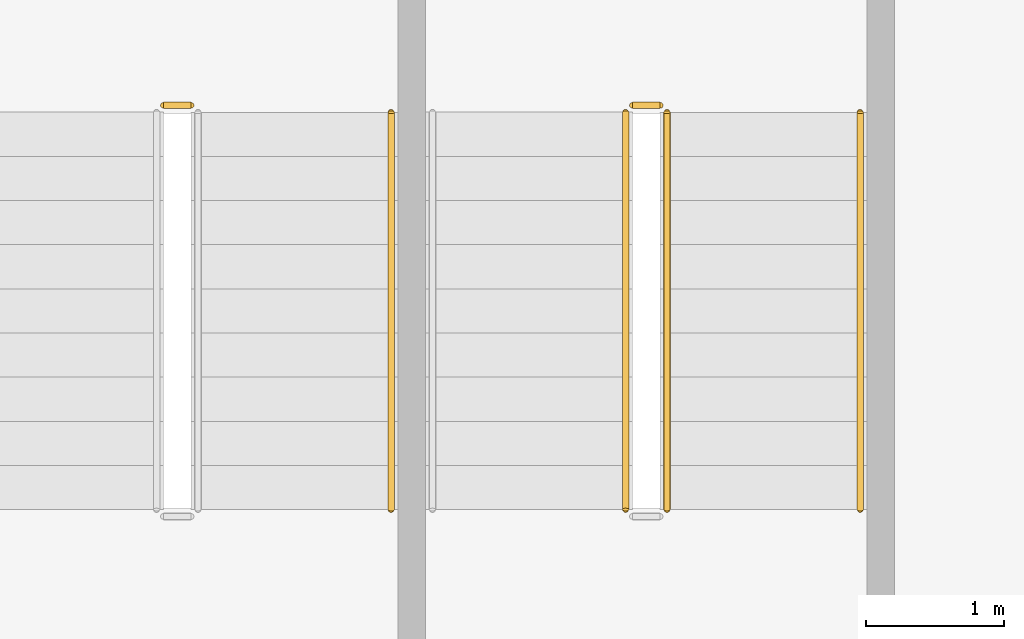
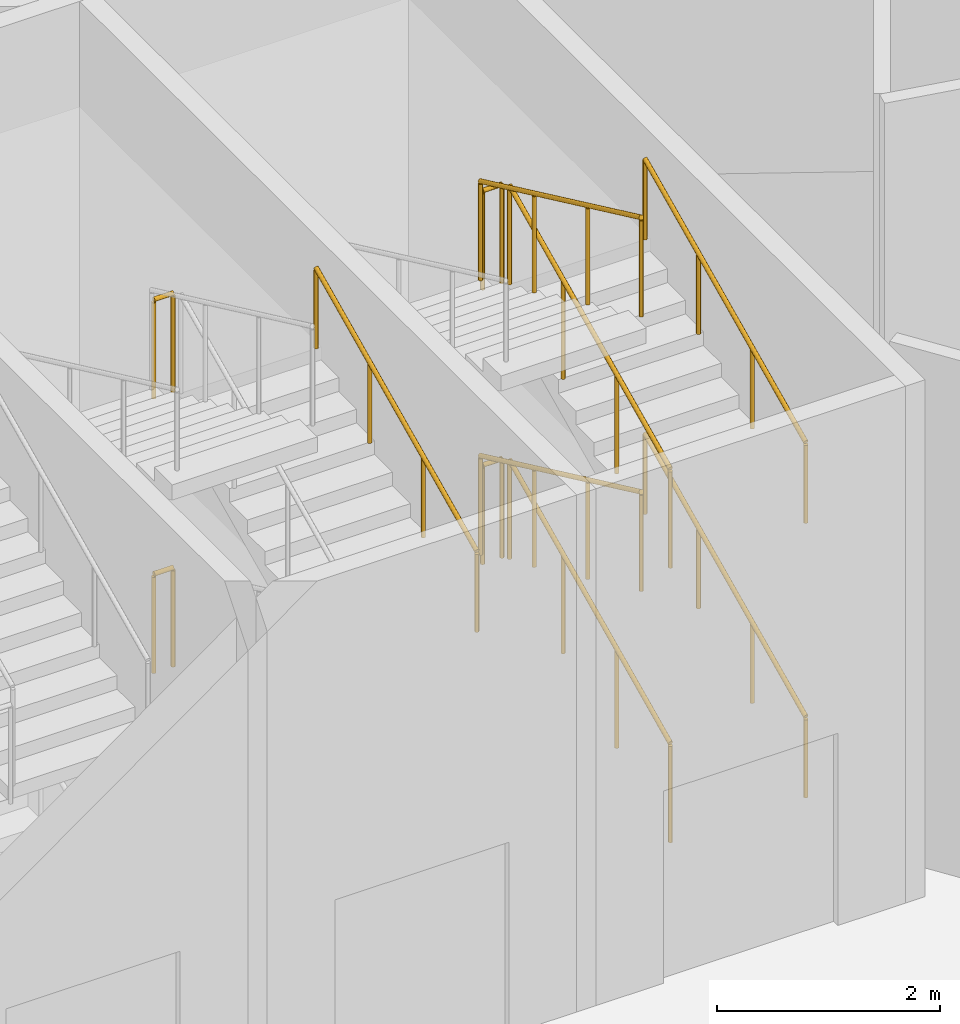
# One storey, part 246 of 249: 11 railings.
"""IFC4 building model written with IfcOpenShell, lengths in metres."""

from ifc_helpers import new_model, si_unit, direction, frame, origin, origin_2d, place, context, subcontext, project, spatial, circle, extrude, material, type_object, element, save


model = new_model("IFC4")

# Units and contexts
model_context = context("Model", 3, precision=1e-05, world=origin(), true_north=direction((0.0, 1.0)))
body_context = subcontext(model_context, "Body", "Model", "MODEL_VIEW")
ifc_project = project(units=[si_unit("LENGTHUNIT", "METRE"), si_unit("AREAUNIT", "SQUARE_METRE"), si_unit("VOLUMEUNIT", "CUBIC_METRE"), si_unit("PLANEANGLEUNIT", "RADIAN"), si_unit("MASSUNIT", "GRAM", prefix="KILO")], contexts=[model_context])

# Site, building, storey
site_placement = place(None, origin())
site = spatial("IfcSite", under=ifc_project, at=site_placement, CompositionType="ELEMENT")
building_placement = place(site_placement, origin())
building = spatial("IfcBuilding", under=site, at=building_placement, Name="Meseta Stadium", CompositionType="ELEMENT")
storey_placement = place(building_placement, frame((0.0, 0.0, 12.0)))
storey = spatial("IfcBuildingStorey", under=building, at=storey_placement, Name="L02", CompositionType="ELEMENT", Elevation=12.0)

# Railings
ifc_material_1 = material(Name="Steel S355", Category="steel")
railing_type_1 = type_object("IfcRailingType", Name="Stair guard 1100", PredefinedType="GUARDRAIL", material=ifc_material_1)
railing_1_placement = place(storey_placement, frame((43.583251953125, 94.199951171875, 0.14990234375)))
element("IfcRailing", 1, at=railing_1_placement, inside=storey, type_object=railing_type_1, Name="ST33 L02 guard 1", PredefinedType="GUARDRAIL", context=body_context, shape_type="SweptSolid", body=[
    extrude(circle(Radius=0.02392578125, at=origin_2d()), frame((0.0, 0.0, 1.076171875), z_axis=(0.0, 0.905454327043, 0.424443708447), x_axis=(-1.0, 0.0, 0.0)), (0.0, 0.0, 1.0), 3.180908203125),
    extrude(circle(Radius=0.02099609375, at=origin_2d()), origin(), (0.0, 0.0, 1.0), 1.052001953125),
    extrude(circle(Radius=0.02099609375, at=origin_2d()), frame((0.0, 0.9599609375, 0.449951171875)), (0.0, 0.0, 1.0), 1.052001953125),
    extrude(circle(Radius=0.02099609375, at=origin_2d()), frame((0.0, 1.920166015625, 0.900146484375)), (0.0, 0.0, 1.0), 1.052001953125),
    extrude(circle(Radius=0.02099609375, at=origin_2d()), frame((0.0, 2.880126953125, 1.35009765625)), (0.0, 0.0, 1.0), 1.052001953125),
])
railing_2_placement = place(storey_placement, frame((43.533447265625, 97.1298828125, 1.5)))
element("IfcRailing", 2, at=railing_2_placement, inside=storey, type_object=railing_type_1, Name="ST33 L02 guard 2", PredefinedType="GUARDRAIL", context=body_context, shape_type="SweptSolid", body=[
    extrude(circle(Radius=0.02392578125, at=origin_2d()), frame((0.0, 0.0, 1.076171875), z_axis=(-1.0, 0.0, 0.0), x_axis=(0.0, -1.0, 0.0)), (0.0, 0.0, 1.0), 0.2001953125),
    extrude(circle(Radius=0.02099609375, at=origin_2d()), origin(), (0.0, 0.0, 1.0), 1.052001953125),
    extrude(circle(Radius=0.02099609375, at=origin_2d()), frame((-0.2001953125, 0.0, 0.0)), (0.0, 0.0, 1.0), 1.052001953125),
])
railing_3_placement = place(storey_placement, frame((43.283447265625, 97.080078125, 1.64990234375)))
element("IfcRailing", 3, at=railing_3_placement, inside=storey, type_object=railing_type_1, Name="ST33 L02 guard 3", PredefinedType="GUARDRAIL", context=body_context, shape_type="SweptSolid", body=[
    extrude(circle(Radius=0.02392578125, at=origin_2d()), frame((0.0, 0.0, 1.076171875), z_axis=(0.0, -0.905454327043, 0.424443708447), x_axis=(1.0, 0.0, 0.0)), (0.0, 0.0, 1.0), 3.180908203125),
    extrude(circle(Radius=0.02099609375, at=origin_2d()), origin(), (0.0, 0.0, 1.0), 1.052001953125),
    extrude(circle(Radius=0.02099609375, at=origin_2d()), frame((0.0, -0.9599609375, 0.449951171875)), (0.0, 0.0, 1.0), 1.052001953125),
    extrude(circle(Radius=0.02099609375, at=origin_2d()), frame((0.0, -1.920166015625, 0.900146484375)), (0.0, 0.0, 1.0), 1.052001953125),
    extrude(circle(Radius=0.02099609375, at=origin_2d()), frame((0.0, -2.880126953125, 1.35009765625)), (0.0, 0.0, 1.0), 1.052001953125),
])
railing_4_placement = place(storey_placement, frame((43.583251953125, 94.199951171875, 3.14990234375)))
element("IfcRailing", 4, at=railing_4_placement, inside=storey, type_object=railing_type_1, Name="ST33 L02 guard 5", PredefinedType="GUARDRAIL", context=body_context, shape_type="SweptSolid", body=[
    extrude(circle(Radius=0.02392578125, at=origin_2d()), frame((0.0, 0.0, 1.076171875), z_axis=(0.0, 0.905454327043, 0.424443708447), x_axis=(-1.0, 0.0, 0.0)), (0.0, 0.0, 1.0), 3.180908203125),
    extrude(circle(Radius=0.02099609375, at=origin_2d()), origin(), (0.0, 0.0, 1.0), 1.052001953125),
    extrude(circle(Radius=0.02099609375, at=origin_2d()), frame((0.0, 0.9599609375, 0.449951171875)), (0.0, 0.0, 1.0), 1.052001953125),
    extrude(circle(Radius=0.02099609375, at=origin_2d()), frame((0.0, 1.920166015625, 0.900146484375)), (0.0, 0.0, 1.0), 1.052001953125),
    extrude(circle(Radius=0.02099609375, at=origin_2d()), frame((0.0, 2.880126953125, 1.35009765625)), (0.0, 0.0, 1.0), 1.052001953125),
])
railing_5_placement = place(storey_placement, frame((43.533447265625, 97.1298828125, 4.5)))
element("IfcRailing", 5, at=railing_5_placement, inside=storey, type_object=railing_type_1, Name="ST33 L02 guard 6", PredefinedType="GUARDRAIL", context=body_context, shape_type="SweptSolid", body=[
    extrude(circle(Radius=0.02392578125, at=origin_2d()), frame((0.0, 0.0, 1.076171875), z_axis=(-1.0, 0.0, 0.0), x_axis=(0.0, -1.0, 0.0)), (0.0, 0.0, 1.0), 0.2001953125),
    extrude(circle(Radius=0.02099609375, at=origin_2d()), origin(), (0.0, 0.0, 1.0), 1.052001953125),
    extrude(circle(Radius=0.02099609375, at=origin_2d()), frame((-0.2001953125, 0.0, 0.0)), (0.0, 0.0, 1.0), 1.052001953125),
])
railing_6_placement = place(storey_placement, frame((43.283447265625, 97.080078125, 4.64990234375)))
element("IfcRailing", 6, at=railing_6_placement, inside=storey, type_object=railing_type_1, Name="ST33 L02 guard 7", PredefinedType="GUARDRAIL", context=body_context, shape_type="SweptSolid", body=[
    extrude(circle(Radius=0.02392578125, at=origin_2d()), frame((0.0, 0.0, 1.076171875), z_axis=(0.0, -0.905454327043, 0.424443708447), x_axis=(1.0, 0.0, 0.0)), (0.0, 0.0, 1.0), 3.180908203125),
    extrude(circle(Radius=0.02099609375, at=origin_2d()), origin(), (0.0, 0.0, 1.0), 1.052001953125),
    extrude(circle(Radius=0.02099609375, at=origin_2d()), frame((0.0, -0.9599609375, 0.449951171875)), (0.0, 0.0, 1.0), 1.052001953125),
    extrude(circle(Radius=0.02099609375, at=origin_2d()), frame((0.0, -1.920166015625, 0.900146484375)), (0.0, 0.0, 1.0), 1.052001953125),
    extrude(circle(Radius=0.02099609375, at=origin_2d()), frame((0.0, -2.880126953125, 1.35009765625)), (0.0, 0.0, 1.0), 1.052001953125),
])
for number, where, name in (
    (7, (40.13330078125, 97.1298828125, 1.5), "ST34 L02 guard 2"),
    (8, (40.13330078125, 97.1298828125, 4.5), "ST34 L02 guard 6"),
):
    element("IfcRailing", number, at=place(storey_placement, frame(where)), inside=storey, type_object=railing_type_1, Name=name, PredefinedType="GUARDRAIL", context=body_context, shape_type="SweptSolid", body=[
        extrude(circle(Radius=0.02392578125, at=origin_2d()), frame((0.0, 0.0, 1.076171875), z_axis=(-1.0, 0.0, 0.0), x_axis=(0.0, -1.0, 0.0)), (0.0, 0.0, 1.0), 0.199951171875),
        extrude(circle(Radius=0.02099609375, at=origin_2d()), origin(), (0.0, 0.0, 1.0), 1.052001953125),
        extrude(circle(Radius=0.02099609375, at=origin_2d()), frame((-0.199951171875, 0.0, 0.0)), (0.0, 0.0, 1.0), 1.052001953125),
    ])
ifc_material_2 = material(Name="Steel S355", Category="steel")
railing_type_2 = type_object("IfcRailingType", Name="Stair handrail 900", PredefinedType="HANDRAIL", material=ifc_material_2)
for number, where, name in (
    (9, (44.9833984375, 94.199951171875, 0.14990234375), "ST33 L02 handrail 1"),
    (10, (44.9833984375, 94.199951171875, 3.14990234375), "ST33 L02 handrail 3"),
    (11, (41.583251953125, 94.199951171875, 3.14990234375), "ST34 L02 handrail 3"),
):
    element("IfcRailing", number, at=place(storey_placement, frame(where)), inside=storey, type_object=railing_type_2, Name=name, PredefinedType="HANDRAIL", context=body_context, shape_type="SweptSolid", body=[
        extrude(circle(Radius=0.02392578125, at=origin_2d()), frame((0.0, 0.0, 0.8759765625), z_axis=(0.0, 0.905454327043, 0.424443708447), x_axis=(-1.0, 0.0, 0.0)), (0.0, 0.0, 1.0), 3.180908203125),
        extrude(circle(Radius=0.02099609375, at=origin_2d()), origin(), (0.0, 0.0, 1.0), 0.851806640625),
        extrude(circle(Radius=0.02099609375, at=origin_2d()), frame((0.0, 0.9599609375, 0.449951171875)), (0.0, 0.0, 1.0), 0.851806640625),
        extrude(circle(Radius=0.02099609375, at=origin_2d()), frame((0.0, 1.920166015625, 0.900146484375)), (0.0, 0.0, 1.0), 0.851806640625),
        extrude(circle(Radius=0.02099609375, at=origin_2d()), frame((0.0, 2.880126953125, 1.35009765625)), (0.0, 0.0, 1.0), 0.851806640625),
    ])

save(model, "model.ifc")
